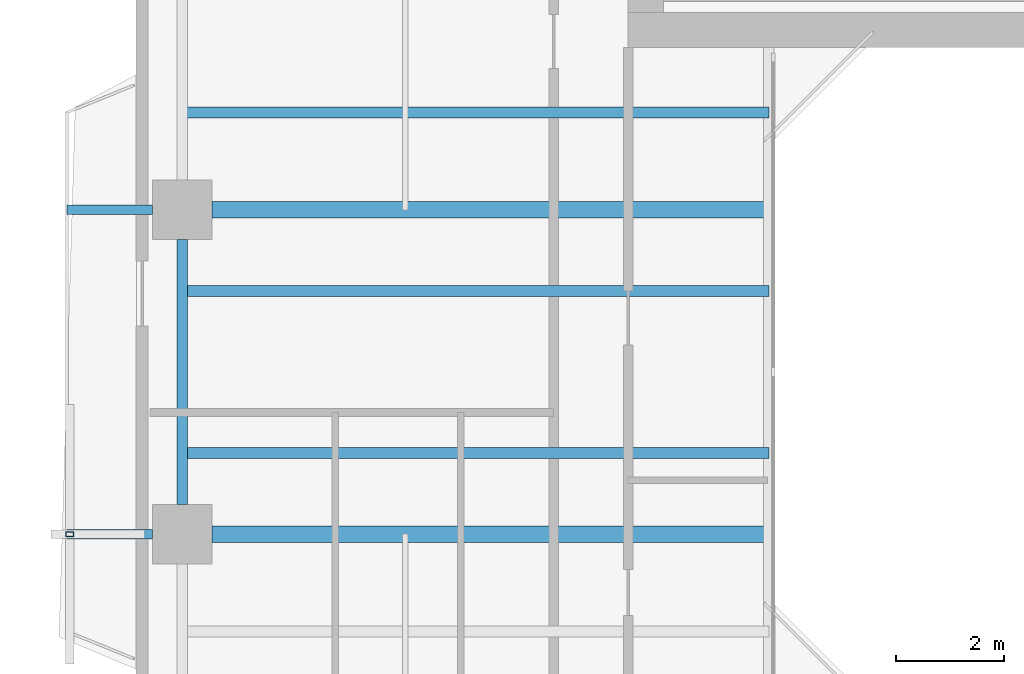
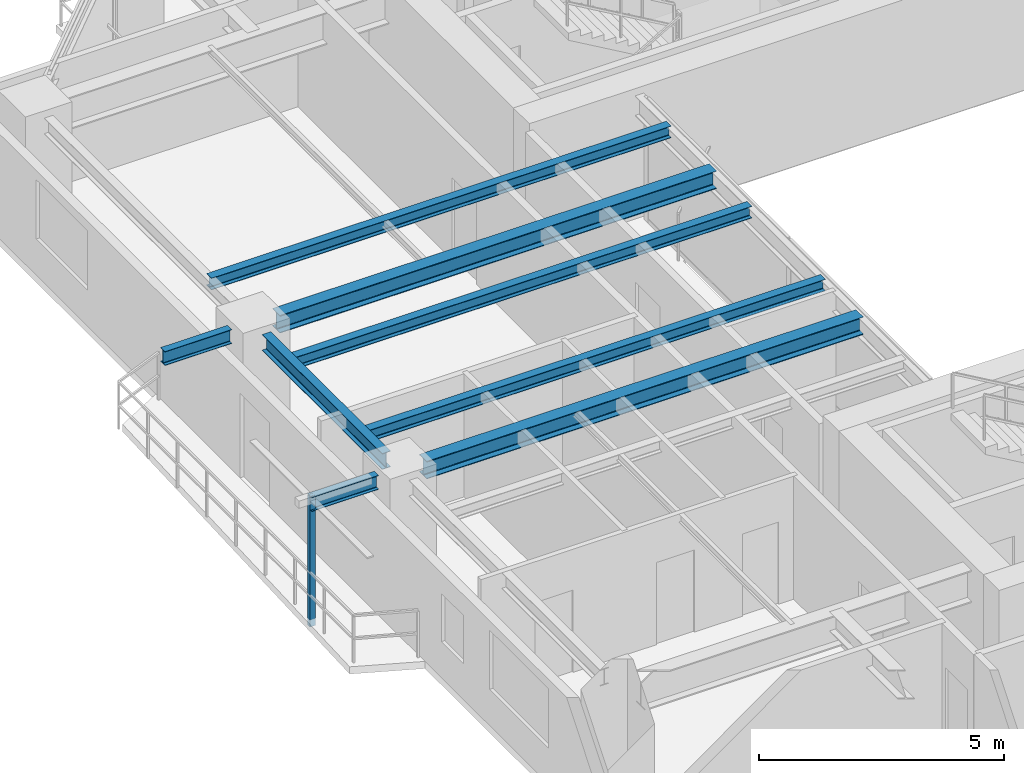
# One storey, part 3 of 23: 8 beams, 1 member.
"""IFC4 building model written with IfcOpenShell, lengths in metres."""

import ifcopenshell
import ifcopenshell.guid

model = None  # the IFC model being written
_history = None  # IfcOwnerHistory: only IFC2X3 demands one
_inside = {}  # id of a spatial element -> (the spatial element, [elements in it])
_under = {}  # id of a project, library or spatial element -> (it, [spatial elements below it])
_declared = {}  # id of a project -> (the project, [libraries it declares])
_typed = {}  # id of a type object -> (the type object, [elements of that type])
_made_of = {}  # id of a material, layer set ... -> (it, [elements and type objects made of it])


def new_model(schema):
    """Start an empty IFC model of exactly this schema.

    Asked for "IFC4X3", IfcOpenShell would pick the latest addendum, in which some entities
    have other attributes; the version numbers below select the first issue.
    IFC2X3 requires an IfcOwnerHistory on every rooted entity: one is made here for all.
    """
    global model, _history
    if schema == "IFC4X3":
        model = ifcopenshell.file(schema_version=(4, 3, 0, 0))
    else:
        model = ifcopenshell.file(schema=schema)
    _inside.clear()
    _under.clear()
    _declared.clear()
    _typed.clear()
    _made_of.clear()
    _history = None
    if model.schema == "IFC2X3":
        org = make("IfcOrganization", Name="unknown")
        user = make(
            "IfcPersonAndOrganization",
            ThePerson=make("IfcPerson", FamilyName="unknown"),
            TheOrganization=org,
        )
        app = make(
            "IfcApplication",
            ApplicationDeveloper=org,
            Version="unknown",
            ApplicationFullName="unknown",
            ApplicationIdentifier="unknown",
        )
        _history = make(
            "IfcOwnerHistory",
            OwningUser=user,
            OwningApplication=app,
            ChangeAction="ADDED",
            CreationDate=0,
        )
    return model


def make(cls, **values):
    """One entity of the class cls with the attributes given. An attribute that is None is left unset."""
    return model.create_entity(
        cls, **{name: value for name, value in values.items() if value is not None}
    )


def rooted(cls, **values):
    """An entity with a GlobalId (a new one), such as an element, a storey or a relation."""
    return make(cls, GlobalId=ifcopenshell.guid.new(), OwnerHistory=_history, **values)


def si_unit(unit_type, name, prefix=None):
    """IfcSIUnit, for example si_unit("LENGTHUNIT", "METRE", prefix="MILLI")."""
    return make("IfcSIUnit", UnitType=unit_type, Prefix=prefix, Name=name)


def assignment(units):
    """IfcUnitAssignment: the units of a project."""
    return None if units is None else make("IfcUnitAssignment", Units=units)


def point(xyz):
    """IfcCartesianPoint."""
    return None if xyz is None else make("IfcCartesianPoint", Coordinates=xyz)


def direction(xyz):
    """IfcDirection."""
    return None if xyz is None else make("IfcDirection", DirectionRatios=xyz)


def frame(location, z_axis=None, x_axis=None):
    """IfcAxis2Placement3D, a coordinate frame: its origin and axes. An axis left out is left unset."""
    return make(
        "IfcAxis2Placement3D",
        Location=point(location),
        Axis=direction(z_axis),
        RefDirection=direction(x_axis),
    )


def frame_2d(location, x_axis=None):
    """IfcAxis2Placement2D, a coordinate frame in the plane: its origin and x axis."""
    return make(
        "IfcAxis2Placement2D", Location=point(location), RefDirection=direction(x_axis)
    )


def origin():
    """The frame at (0, 0, 0) with its axes left unset."""
    return frame((0.0, 0.0, 0.0))


def origin_2d():
    """The frame at (0, 0) in the plane with its x axis left unset."""
    return frame_2d((0.0, 0.0))


def place(relative_to, where):
    """IfcLocalPlacement: puts the frame where relative to a parent placement (None: the world)."""
    return make(
        "IfcLocalPlacement", PlacementRelTo=relative_to, RelativePlacement=where
    )


def context(
    kind, dimensions, precision=None, world=None, true_north=None, identifier=None
):
    """IfcGeometricRepresentationContext, for example the 3D "Model" context."""
    return make(
        "IfcGeometricRepresentationContext",
        ContextIdentifier=identifier,
        ContextType=kind,
        CoordinateSpaceDimension=dimensions,
        Precision=precision,
        WorldCoordinateSystem=world,
        TrueNorth=true_north,
    )


def subcontext(parent, identifier, kind, view, scale=None):
    """IfcGeometricRepresentationSubContext, for example "Body" below "Model"."""
    return make(
        "IfcGeometricRepresentationSubContext",
        ContextIdentifier=identifier,
        ContextType=kind,
        ParentContext=parent,
        TargetScale=scale,
        TargetView=view,
    )


def project(units=None, contexts=None):
    """IfcProject with its units and contexts."""
    return rooted(
        "IfcProject",
        Name="project",
        RepresentationContexts=contexts,
        UnitsInContext=assignment(units),
    )


def spatial(cls, under=None, at=None, **own):
    """A site, building, storey or space (cls), placed at a placement, below another one or the project."""
    s = rooted(cls, ObjectPlacement=at, **own)
    if under is not None:
        _under.setdefault(under.id(), (under, []))[1].append(s)
    return s


def profile(cls, at=None, kind="AREA", **sizes):
    """A parametric profile (cls). Its sizes go by their IFC names, for example OverallWidth=200.0."""
    return make(cls, ProfileType=kind, Position=at, **sizes)


def hollow_rectangle(**sizes):
    """IfcRectangleHollowProfileDef."""
    return profile("IfcRectangleHollowProfileDef", **sizes)


def i_section(**sizes):
    """IfcIShapeProfileDef."""
    return profile("IfcIShapeProfileDef", **sizes)


def extrude(swept, where, along, depth):
    """IfcExtrudedAreaSolid: the profile swept, set in the frame where, extruded along a direction by depth."""
    return make(
        "IfcExtrudedAreaSolid",
        SweptArea=swept,
        Position=where,
        ExtrudedDirection=direction(along),
        Depth=depth,
    )


def shape(context_of_items, identifier, shape_type, items):
    """IfcShapeRepresentation: the items that make up one representation, for example the "Body"."""
    return make(
        "IfcShapeRepresentation",
        ContextOfItems=context_of_items,
        RepresentationIdentifier=identifier,
        RepresentationType=shape_type,
        Items=items,
    )


def source(mapping_origin, context_of_items, identifier, shape_type, items):
    """IfcRepresentationMap: a shape defined once, which mapped items show again and again."""
    return make(
        "IfcRepresentationMap",
        MappingOrigin=mapping_origin,
        MappedRepresentation=shape(context_of_items, identifier, shape_type, items),
    )


def transform(
    local_origin,
    x_axis=None,
    y_axis=None,
    z_axis=None,
    scale=None,
    scale2=None,
    scale3=None,
    uniform=True,
):
    """IfcCartesianTransformationOperator3D, or its non-uniform kind. x_axis, y_axis, z_axis: its Axis1, 2, 3."""
    if uniform:
        return make(
            "IfcCartesianTransformationOperator3D",
            Axis1=direction(x_axis),
            Axis2=direction(y_axis),
            LocalOrigin=point(local_origin),
            Scale=scale,
            Axis3=direction(z_axis),
        )
    return make(
        "IfcCartesianTransformationOperator3DnonUniform",
        Axis1=direction(x_axis),
        Axis2=direction(y_axis),
        LocalOrigin=point(local_origin),
        Scale=scale,
        Axis3=direction(z_axis),
        Scale2=scale2,
        Scale3=scale3,
    )


def mapped(mapping_source, mapping_target):
    """IfcMappedItem: shows the shape of a source again, moved by a transform."""
    return make(
        "IfcMappedItem", MappingSource=mapping_source, MappingTarget=mapping_target
    )


def material(Name=None, Category=None):
    """IfcMaterial."""
    return make("IfcMaterial", Name=Name, Category=Category)


def material_profile(
    of_material, cross_section, Name=None, Category=None, Priority=None
):
    """IfcMaterialProfile: a cross section and its material."""
    return make(
        "IfcMaterialProfile",
        Name=Name,
        Material=of_material,
        Profile=cross_section,
        Priority=Priority,
        Category=Category,
    )


def profile_set(profiles, Name=None, composite=None):
    """IfcMaterialProfileSet."""
    return make(
        "IfcMaterialProfileSet",
        Name=Name,
        MaterialProfiles=profiles,
        CompositeProfile=composite,
    )


def made_of(thing, what):
    """Note that an element or type object is made of a material, layer set ...; save() writes the relation."""
    if what is not None:
        _made_of.setdefault(what.id(), (what, []))[1].append(thing)
    return thing


def type_object(cls, material=None, **own):
    """A type object (cls), such as IfcWallType, which elements share."""
    return made_of(rooted(cls, **own), material)


def element(
    cls,
    number,
    at=None,
    inside=None,
    cuts=None,
    type_object=None,
    material=None,
    context=None,
    identifier="Body",
    shape_type=None,
    held_by="IfcProductDefinitionShape",
    body=None,
    shapes=None,
    **own,
):
    """One element of the class cls, such as IfcWall. Its Tag is "e" and its number.

    at: its placement. inside: the storey or other place that contains it. cuts: it is an
    opening in that element (IfcRelVoidsElement). A single representation is given by context,
    identifier, shape_type and body (its items); several are given by shapes. held_by: the class
    of the entity that holds the representations. save() writes the other relations.
    """
    e = rooted(cls, Tag="e%d" % number, ObjectPlacement=at, **own)
    if body is not None:
        shapes = [shape(context, identifier, shape_type, body)]
    if shapes is not None:
        e.Representation = make(held_by, Representations=shapes)
    if inside is not None:
        _inside.setdefault(inside.id(), (inside, []))[1].append(e)
    if cuts is not None:
        rooted(
            "IfcRelVoidsElement", RelatingBuildingElement=cuts, RelatedOpeningElement=e
        )
    if type_object is not None:
        _typed.setdefault(type_object.id(), (type_object, []))[1].append(e)
    return made_of(e, material)


def aggregate(whole, parts):
    """IfcRelAggregates: a whole, such as a stair, and the parts it consists of."""
    return rooted("IfcRelAggregates", RelatingObject=whole, RelatedObjects=parts)


def save(model, path):
    """Write the relations noted so far, then the file.

    IfcRelAggregates (storeys below a building ...), IfcRelContainedInSpatialStructure (elements
    in a storey), IfcRelDefinesByType, IfcRelAssociatesMaterial and IfcRelDeclares: one each for
    every whole, place, type object, material and project.
    """
    for whole, parts in _under.values():
        aggregate(whole, parts)
    for where, things in _inside.values():
        rooted(
            "IfcRelContainedInSpatialStructure",
            RelatedElements=things,
            RelatingStructure=where,
        )
    for kind, things in _typed.values():
        rooted("IfcRelDefinesByType", RelatedObjects=things, RelatingType=kind)
    for what, things in _made_of.values():
        rooted("IfcRelAssociatesMaterial", RelatedObjects=things, RelatingMaterial=what)
    for by, libraries in _declared.values():
        rooted("IfcRelDeclares", RelatingContext=by, RelatedDefinitions=libraries)
    model.write(path)


model = new_model("IFC4")

# Units and contexts
model_context = context("Model", 3, precision=1e-05, world=origin(), true_north=direction((0.0, 1.0)))
body_context = subcontext(model_context, "Body", "Model", "MODEL_VIEW")
ifc_project = project(units=[si_unit("LENGTHUNIT", "METRE"), si_unit("AREAUNIT", "SQUARE_METRE"), si_unit("VOLUMEUNIT", "CUBIC_METRE"), si_unit("PLANEANGLEUNIT", "RADIAN"), si_unit("MASSUNIT", "GRAM", prefix="KILO"), si_unit("THERMODYNAMICTEMPERATUREUNIT", "KELVIN"), si_unit("POWERUNIT", "WATT")], contexts=[model_context])

# Site, building, storey
site_placement = place(None, origin())
site = spatial("IfcSite", under=ifc_project, at=site_placement, CompositionType="ELEMENT")
building_placement = place(site_placement, origin())
building = spatial("IfcBuilding", under=site, at=building_placement, Name="Qiaomeng Ring Towers", CompositionType="ELEMENT")
storey_placement = place(building_placement, frame((0.0, 0.0, 103.5)))
storey = spatial("IfcBuildingStorey", under=building, at=storey_placement, Name="L29", CompositionType="ELEMENT", Elevation=103.5)

# Beams
ifc_material_1 = material(Name="Steel Q355B", Category="steel")
ifc_material_profile_1 = material_profile(ifc_material_1, i_section(OverallWidth=0.199951171875, OverallDepth=0.39990234375, WebThickness=0.008056640625, FlangeThickness=0.012939453125, FilletRadius=0.01611328125, at=origin_2d()), Name="HN 400x200x8x13")
ifc_profile_set_1 = profile_set([ifc_material_profile_1], Name="Steel Q355B")
beam_type_1 = type_object("IfcBeamType", Name="STR-BM-HN400", PredefinedType="SPANDREL", material=ifc_profile_set_1)
shared_shape_1 = source(origin(), body_context, "Body", "SweptSolid", [
    extrude(i_section(OverallWidth=0.199951171875, OverallDepth=0.39990234375, WebThickness=0.008056640625, FlangeThickness=0.012939453125, FilletRadius=0.01611328125, at=origin_2d()), origin(), (0.0, 0.0, 1.0), 4.90185546875),
])
beam_placement = place(storey_placement, frame((1.949951171875, 25.450927734375, 2.8701171875), z_axis=(0.0, -1.0, 0.0), x_axis=(1.0, 0.0, 0.0)))
element("IfcBeam", 1, at=beam_placement, inside=storey, type_object=beam_type_1, Name="L29 beam STR-SP-L29-T1-W3-W2", PredefinedType="SPANDREL", context=body_context, shape_type="MappedRepresentation", body=[
    mapped(shared_shape_1, transform((0.0, 0.0, 0.0), x_axis=(1.0, 0.0, 0.0), y_axis=(0.0, 1.0, 0.0), z_axis=(0.0, 0.0, 1.0), scale=1.0)),
])
ifc_material_profile_2 = material_profile(ifc_material_1, i_section(OverallWidth=0.300048828125, OverallDepth=0.43994140625, WebThickness=0.010986328125, FlangeThickness=0.01806640625, FilletRadius=0.02392578125, at=origin_2d()), Name="HM 440x300x11x18")
ifc_profile_set_2 = profile_set([ifc_material_profile_2], Name="Steel Q355B")
beam_type_2 = type_object("IfcBeamType", Name="STR-BM-HM440", PredefinedType="BEAM", material=ifc_profile_set_2)
shared_shape_2 = source(origin(), body_context, "Body", "SweptSolid", [
    extrude(i_section(OverallWidth=0.300048828125, OverallDepth=0.43994140625, WebThickness=0.010986328125, FlangeThickness=0.01806640625, FilletRadius=0.02392578125, at=origin_2d()), origin(), (0.0, 0.0, 1.0), 10.301025390625),
])
for number, where, z_axis, x_axis, name in (
    (2, (2.4990234375, 20.0, 2.85009765625), (1.0, 0.0, 0.0), (0.0, 1.0, 0.0), "L29 beam STR-BM-L29-T1-RAD-W2"),
    (3, (2.4990234375, 26.0, 2.85009765625), (1.0, 0.0, 0.0), (0.0, 1.0, 0.0), "L29 beam STR-BM-L29-T1-RAD-W3"),
):
    element("IfcBeam", number, at=place(storey_placement, frame(where, z_axis=z_axis, x_axis=x_axis)), inside=storey, type_object=beam_type_2, Name=name, PredefinedType="BEAM", context=body_context, shape_type="MappedRepresentation", body=[
        mapped(shared_shape_2, transform((0.0, 0.0, 0.0), x_axis=(1.0, 0.0, 0.0), y_axis=(0.0, 1.0, 0.0), z_axis=(0.0, 0.0, 1.0), scale=1.0)),
    ])
ifc_material_profile_3 = material_profile(ifc_material_1, i_section(OverallWidth=0.175048828125, OverallDepth=0.35009765625, WebThickness=0.007080078125, FlangeThickness=0.010986328125, FilletRadius=0.013916015625, at=origin_2d()), Name="HN 350x175x7x11")
ifc_profile_set_3 = profile_set([ifc_material_profile_3], Name="Steel Q355B")
beam_type_3 = type_object("IfcBeamType", Name="STR-BM-HN350", PredefinedType="JOIST", material=ifc_profile_set_3)
shared_shape_3 = source(origin(), body_context, "Body", "SweptSolid", [
    extrude(i_section(OverallWidth=0.175048828125, OverallDepth=0.35009765625, WebThickness=0.007080078125, FlangeThickness=0.010986328125, FilletRadius=0.013916015625, at=origin_2d()), origin(), (0.0, 0.0, 1.0), 1.580810546875),
])
for number, where, z_axis, x_axis, name in (
    (4, (-0.179931640625, 20.0, 2.89501953125), (1.0, 0.0, 0.0), (0.0, 1.0, 0.0), "L29 beam STR-BALBM-L29-W2"),
    (5, (-0.179931640625, 26.0, 2.89501953125), (1.0, 0.0, 0.0), (0.0, 1.0, 0.0), "L29 beam STR-BALBM-L29-W3"),
):
    element("IfcBeam", number, at=place(storey_placement, frame(where, z_axis=z_axis, x_axis=x_axis)), inside=storey, type_object=beam_type_3, Name=name, PredefinedType="JOIST", context=body_context, shape_type="MappedRepresentation", body=[
        mapped(shared_shape_3, transform((0.0, 0.0, 0.0), x_axis=(1.0, 0.0, 0.0), y_axis=(0.0, 1.0, 0.0), z_axis=(0.0, 0.0, 1.0), scale=1.0)),
    ])
ifc_material_profile_4 = material_profile(ifc_material_1, i_section(OverallWidth=0.199951171875, OverallDepth=0.2939453125, WebThickness=0.008056640625, FlangeThickness=0.011962890625, FilletRadius=0.01806640625, at=origin_2d()), Name="HM 294x200x8x12")
ifc_profile_set_4 = profile_set([ifc_material_profile_4], Name="Steel Q355B")
beam_type_4 = type_object("IfcBeamType", Name="STR-BM-HM294", PredefinedType="JOIST", material=ifc_profile_set_4)
shared_shape_4 = source(origin(), body_context, "Body", "SweptSolid", [
    extrude(i_section(OverallWidth=0.199951171875, OverallDepth=0.2939453125, WebThickness=0.008056640625, FlangeThickness=0.011962890625, FilletRadius=0.01806640625, at=origin_2d()), origin(), (0.0, 0.0, 1.0), 10.85009765625),
])
for number, where, z_axis, x_axis, name in (
    (6, (1.949951171875, 21.5, 2.923095703125), (1.0, 0.0, 0.0), (0.0, 1.0, 0.0), "L29 beam STR-JST-L29-T1W-2"),
    (7, (1.949951171875, 24.5, 2.923095703125), (1.0, 0.0, 0.0), (0.0, 1.0, 0.0), "L29 beam STR-JST-L29-T1W-3"),
    (8, (1.949951171875, 27.800048828125, 2.923095703125), (1.0, 0.0, 0.0), (0.0, 1.0, 0.0), "L29 beam STR-JST-L29-T1W-4"),
):
    element("IfcBeam", number, at=place(storey_placement, frame(where, z_axis=z_axis, x_axis=x_axis)), inside=storey, type_object=beam_type_4, Name=name, PredefinedType="JOIST", context=body_context, shape_type="MappedRepresentation", body=[
        mapped(shared_shape_4, transform((0.0, 0.0, 0.0), x_axis=(1.0, 0.0, 0.0), y_axis=(0.0, 1.0, 0.0), z_axis=(0.0, 0.0, 1.0), scale=1.0)),
    ])

# Member
ifc_material_2 = material(Name="Stainless steel 316", Category="steel")
ifc_material_profile_5 = material_profile(ifc_material_2, hollow_rectangle(XDim=0.090087890625, YDim=0.139892578125, WallThickness=0.0048828125, at=origin_2d()), Name="SS TRELLIS 90x140")
ifc_profile_set_5 = profile_set([ifc_material_profile_5], Name="Stainless steel 316")
member_type = type_object("IfcMemberType", Name="ARC-TR-POST1", PredefinedType="STUD", material=ifc_profile_set_5)
shared_shape_5 = source(origin(), body_context, "Body", "SweptSolid", [
    extrude(hollow_rectangle(XDim=0.090087890625, YDim=0.139892578125, WallThickness=0.0048828125, at=origin_2d()), origin(), (0.0, 0.0, 1.0), 3.25),
])
member_placement = place(storey_placement, frame((-0.1298828125, 20.0, -0.179931640625), z_axis=(0.0, 0.0, 1.0), x_axis=(0.0, 1.0, 0.0)))
element("IfcMember", 9, at=member_placement, inside=storey, type_object=member_type, Name="L29 Outer Ventilated Trellis Post W", PredefinedType="STUD", context=body_context, shape_type="MappedRepresentation", body=[
    mapped(shared_shape_5, transform((0.0, 0.0, 0.0), x_axis=(1.0, 0.0, 0.0), y_axis=(0.0, 1.0, 0.0), z_axis=(0.0, 0.0, 1.0), scale=1.0)),
])

save(model, "model.ifc")
